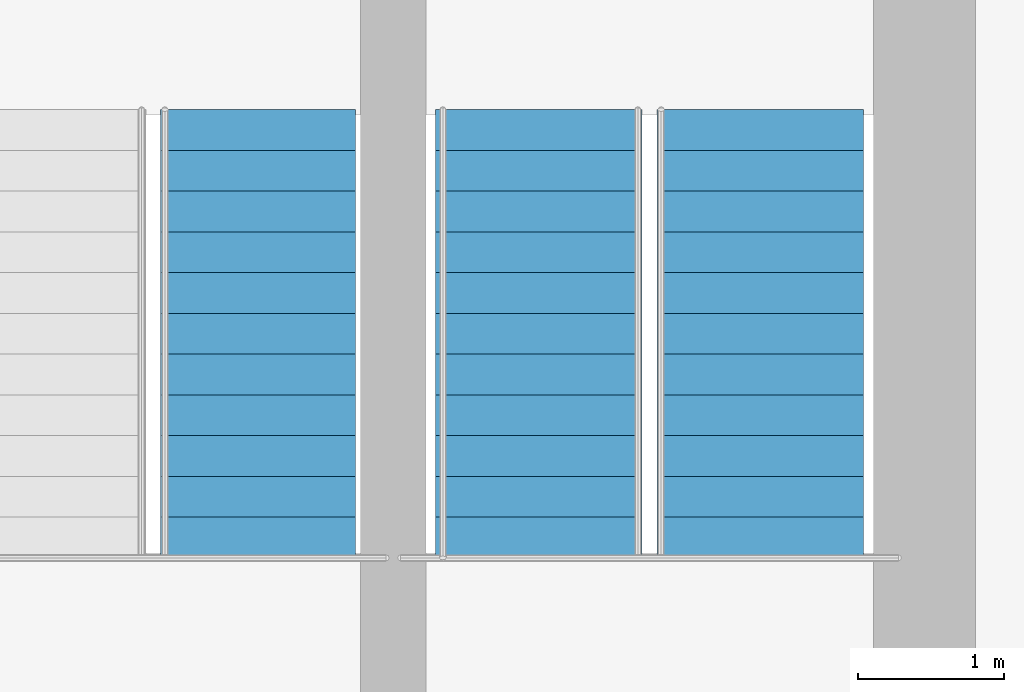
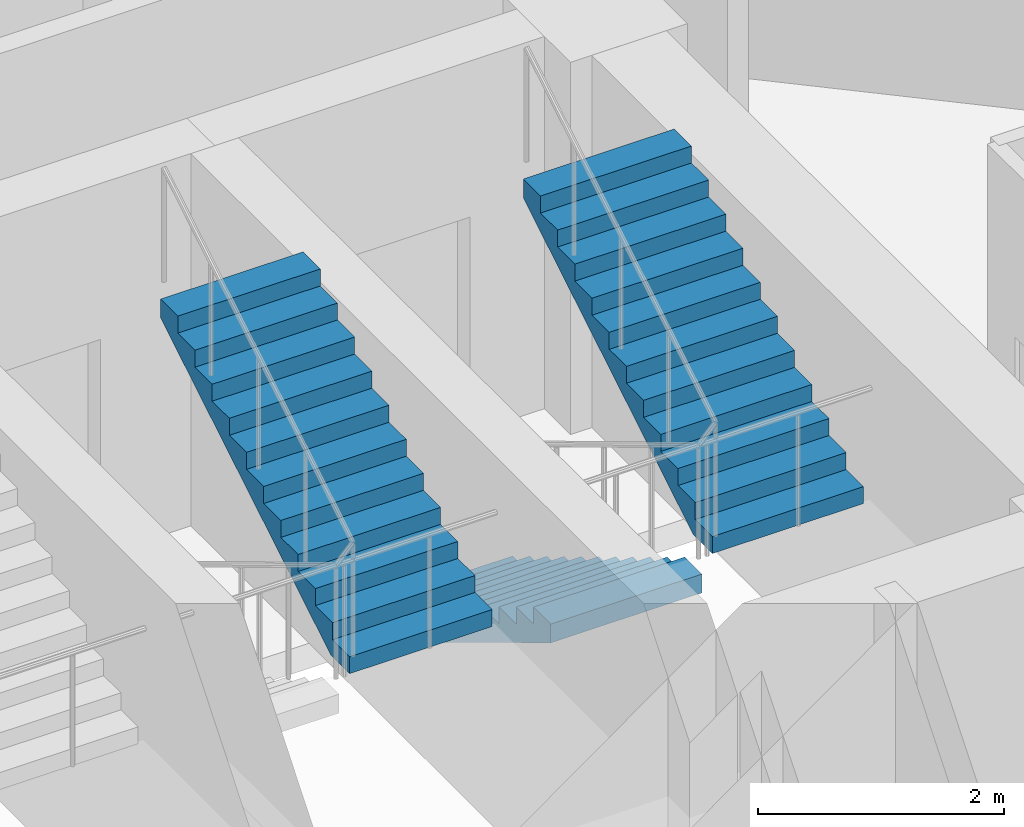
# One storey, part 25 of 27: 3 stair flights, 2 elements without a shape of their own.
"""IFC4 building model written with IfcOpenShell, lengths in metres."""

from ifc_helpers import new_model, si_unit, direction, frame, origin, place, context, subcontext, project, spatial, polyline, outline, extrude, material, type_object, element, aggregate, save


model = new_model("IFC4")

# Units and contexts
model_context = context("Model", 3, precision=1e-05, world=origin(), true_north=direction((0.0, 1.0)))
body_context = subcontext(model_context, "Body", "Model", "MODEL_VIEW")
ifc_project = project(units=[si_unit("LENGTHUNIT", "METRE"), si_unit("AREAUNIT", "SQUARE_METRE"), si_unit("VOLUMEUNIT", "CUBIC_METRE"), si_unit("PLANEANGLEUNIT", "RADIAN"), si_unit("MASSUNIT", "GRAM", prefix="KILO")], contexts=[model_context])

# Site, building, storey
site_placement = place(None, origin())
site = spatial("IfcSite", under=ifc_project, at=site_placement, CompositionType="ELEMENT")
building_placement = place(site_placement, origin())
building = spatial("IfcBuilding", under=site, at=building_placement, Name="Nuhasar Tower", CompositionType="ELEMENT")
storey_placement = place(building_placement, frame((0.0, 0.0, 102.0)))
storey = spatial("IfcBuildingStorey", under=building, at=storey_placement, Name="L24", CompositionType="ELEMENT", Elevation=102.0)

# Stair, stair flights
ifc_material = material(Name="Concrete C45/55", Category="concrete")
stair_type_1 = type_object("IfcStairType", Name="STR-ST-02-2F-24R-1688", PredefinedType="HALF_TURN_STAIR", material=ifc_material)
stair_1_placement = place(storey_placement, origin())
stair_1 = element("IfcStair", 1, at=stair_1_placement, inside=storey, type_object=stair_type_1, Name="L24 Exit Stair ST-02", PredefinedType="HALF_TURN_STAIR")
stair_flight_type_1 = type_object("IfcStairFlightType", Name="SFL-ST-02-12R-1688", PredefinedType="STRAIGHT", material=ifc_material)
stair_flight_1_placement = place(storey_placement, frame((41.64990234375, 35.284912109375, 0.0), z_axis=(0.0, 0.0, 1.0), x_axis=(0.0, -1.0, 0.0)))
stair_flight_1 = element("IfcStairFlight", 2, at=stair_flight_1_placement, type_object=stair_flight_type_1, Name="ST-02 flight 1", NumberOfRisers=12, NumberOfTreads=11, PredefinedType="STRAIGHT", RiserHeight=0.16875, TreadLength=0.28, context=body_context, shape_type="SweptSolid", body=[
    extrude(outline(polyline([(0.0, 0.0), (0.0, 0.168701171875), (0.280029296875, 0.168701171875), (0.280029296875, 0.33740234375), (0.56005859375, 0.33740234375), (0.56005859375, 0.50634765625), (0.840087890625, 0.50634765625), (0.840087890625, 0.675048828125), (1.1201171875, 0.675048828125), (1.1201171875, 0.84375), (1.39990234375, 0.84375), (1.39990234375, 1.012451171875), (1.679931640625, 1.012451171875), (1.679931640625, 1.18115234375), (1.9599609375, 1.18115234375), (1.9599609375, 1.35009765625), (2.239990234375, 1.35009765625), (2.239990234375, 1.518798828125), (2.52001953125, 1.518798828125), (2.52001953125, 1.6875), (2.800048828125, 1.6875), (2.800048828125, 1.856201171875), (3.080078125, 1.856201171875), (3.080078125, 2.02490234375), (3.080078125, 1.66943359375), (0.309814453125, 0.0), (0.0, 0.0)])), frame((0.0, 0.7099609375, 0.0), z_axis=(0.0, -1.0, 0.0), x_axis=(1.0, 0.0, 0.0)), (0.0, 0.0, 1.0), 1.419921875),
])
stair_flight_2_placement = place(storey_placement, frame((43.169921875, 32.205078125, 2.02490234375), z_axis=(0.0, 0.0, 1.0), x_axis=(0.0, 1.0, 0.0)))
stair_flight_2 = element("IfcStairFlight", 3, at=stair_flight_2_placement, type_object=stair_flight_type_1, Name="ST-02 flight 2", NumberOfRisers=12, NumberOfTreads=11, PredefinedType="STRAIGHT", RiserHeight=0.16875, TreadLength=0.28, context=body_context, shape_type="SweptSolid", body=[
    extrude(outline(polyline([(0.0, 0.0), (0.0, 0.168701171875), (0.280029296875, 0.168701171875), (0.280029296875, 0.33740234375), (0.56005859375, 0.33740234375), (0.56005859375, 0.50634765625), (0.840087890625, 0.50634765625), (0.840087890625, 0.675048828125), (1.1201171875, 0.675048828125), (1.1201171875, 0.84375), (1.39990234375, 0.84375), (1.39990234375, 1.012451171875), (1.679931640625, 1.012451171875), (1.679931640625, 1.18115234375), (1.9599609375, 1.18115234375), (1.9599609375, 1.35009765625), (2.239990234375, 1.35009765625), (2.239990234375, 1.518798828125), (2.52001953125, 1.518798828125), (2.52001953125, 1.6875), (2.800048828125, 1.6875), (2.800048828125, 1.856201171875), (3.080078125, 1.856201171875), (3.080078125, 2.02490234375), (3.080078125, 1.66943359375), (0.309814453125, 0.0), (0.0, 0.0)])), frame((0.0, 0.7099609375, 0.0), z_axis=(0.0, -1.0, 0.0), x_axis=(1.0, 0.0, 0.0)), (0.0, 0.0, 1.0), 1.419921875),
])
aggregate(stair_1, [stair_flight_1, stair_flight_2])

# Stair, stair flight
stair_type_2 = type_object("IfcStairType", Name="STR-ST-03-2F-24R-1688", PredefinedType="HALF_TURN_STAIR", material=ifc_material)
stair_2_placement = place(storey_placement, origin())
stair_2 = element("IfcStair", 4, at=stair_2_placement, inside=storey, type_object=stair_type_2, Name="L24 Exit Stair ST-03", PredefinedType="HALF_TURN_STAIR")
stair_flight_type_2 = type_object("IfcStairFlightType", Name="SFL-ST-03-12R-1688", PredefinedType="STRAIGHT", material=ifc_material)
stair_flight_3_placement = place(storey_placement, frame((39.719970703125, 32.205078125, 2.02490234375), z_axis=(0.0, 0.0, 1.0), x_axis=(0.0, 1.0, 0.0)))
stair_flight_3 = element("IfcStairFlight", 5, at=stair_flight_3_placement, type_object=stair_flight_type_2, Name="ST-03 flight 2", NumberOfRisers=12, NumberOfTreads=11, PredefinedType="STRAIGHT", RiserHeight=0.16875, TreadLength=0.28, context=body_context, shape_type="SweptSolid", body=[
    extrude(outline(polyline([(0.0, 0.0), (0.0, 0.168701171875), (0.280029296875, 0.168701171875), (0.280029296875, 0.33740234375), (0.56005859375, 0.33740234375), (0.56005859375, 0.50634765625), (0.840087890625, 0.50634765625), (0.840087890625, 0.675048828125), (1.1201171875, 0.675048828125), (1.1201171875, 0.84375), (1.39990234375, 0.84375), (1.39990234375, 1.012451171875), (1.679931640625, 1.012451171875), (1.679931640625, 1.18115234375), (1.9599609375, 1.18115234375), (1.9599609375, 1.35009765625), (2.239990234375, 1.35009765625), (2.239990234375, 1.518798828125), (2.52001953125, 1.518798828125), (2.52001953125, 1.6875), (2.800048828125, 1.6875), (2.800048828125, 1.856201171875), (3.080078125, 1.856201171875), (3.080078125, 2.02490234375), (3.080078125, 1.66943359375), (0.309814453125, 0.0), (0.0, 0.0)])), frame((0.0, 0.669921875, 0.0), z_axis=(0.0, -1.0, 0.0), x_axis=(1.0, 0.0, 0.0)), (0.0, 0.0, 1.0), 1.340087890625),
])
aggregate(stair_2, [stair_flight_3])

save(model, "model.ifc")
